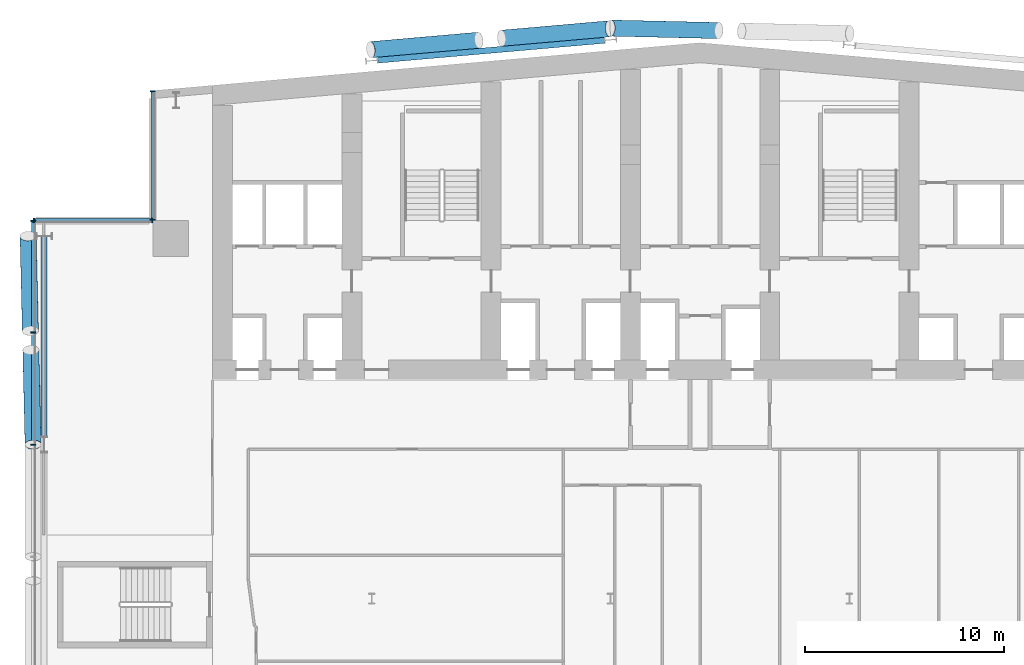
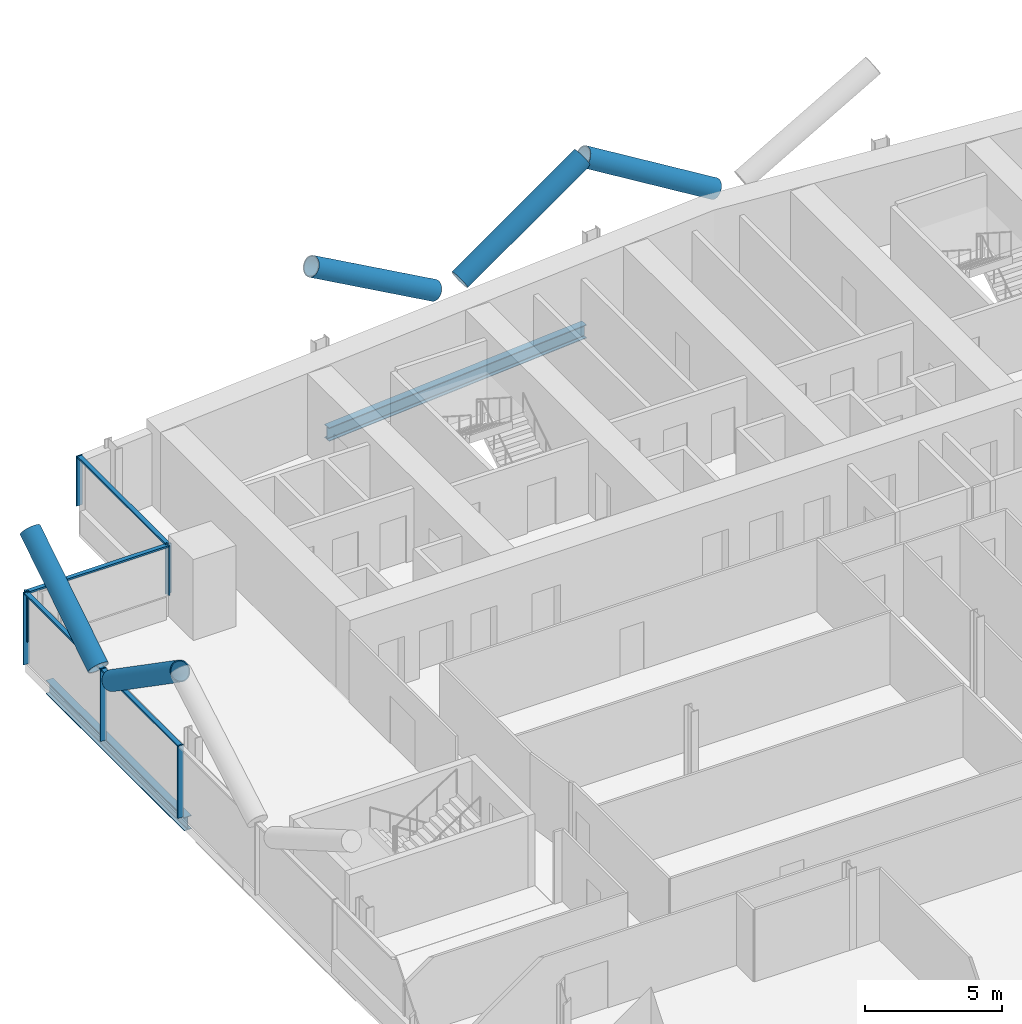
# One storey, part 8 of 27: 16 members, 2 beams, 3 elements without a shape of their own.
"""IFC4 building model written with IfcOpenShell, lengths in metres."""

from ifc_helpers import new_model, si_unit, direction, frame, origin, origin_2d, place, context, subcontext, project, spatial, rectangle, hollow_circle, i_section, extrude, material, material_profile, profile_set, type_object, element, aggregate, save


model = new_model("IFC4")

# Units and contexts
model_context = context("Model", 3, precision=1e-05, world=origin(), true_north=direction((0.0, 1.0)))
body_context = subcontext(model_context, "Body", "Model", "MODEL_VIEW")
ifc_project = project(units=[si_unit("LENGTHUNIT", "METRE"), si_unit("AREAUNIT", "SQUARE_METRE"), si_unit("VOLUMEUNIT", "CUBIC_METRE"), si_unit("PLANEANGLEUNIT", "RADIAN"), si_unit("MASSUNIT", "GRAM", prefix="KILO")], contexts=[model_context])

# Site, building, storey
site_placement = place(None, origin())
site = spatial("IfcSite", under=ifc_project, at=site_placement, CompositionType="ELEMENT")
building_placement = place(site_placement, origin())
building = spatial("IfcBuilding", under=site, at=building_placement, Name="Wharfspan Tower", CompositionType="ELEMENT")
storey_placement = place(building_placement, frame((0.0, 0.0, 139.899902)))
storey = spatial("IfcBuildingStorey", under=building, at=storey_placement, Name="L33", CompositionType="ELEMENT", Elevation=139.899902)

# Beams
ifc_material_1 = material(Name="Steel S355J2", Category="steel")
ifc_material_profile_1 = material_profile(ifc_material_1, i_section(OverallWidth=0.300049, OverallDepth=0.600098, WebThickness=0.015381, FlangeThickness=0.030029, FilletRadius=0.0271, at=origin_2d()))
ifc_profile_set_1 = profile_set([ifc_material_profile_1], Name="Steel S355J2")
beam_type = type_object("IfcBeamType", Name="Edge beam HEB 600", PredefinedType="SPANDREL", material=ifc_profile_set_1)
beam_1_placement = place(storey_placement, frame((35.695068, 51.050537, -0.699951), z_axis=(-0.996194, -0.087162, 0.0), x_axis=(0.087162, -0.996194, 0.0)))
element("IfcBeam", 1, at=beam_1_placement, inside=storey, type_object=beam_type, Name="Edge beam N1 L33 R.2 to R.1", PredefinedType="SPANDREL", context=body_context, shape_type="SweptSolid", body=[
    extrude(i_section(OverallWidth=0.300049, OverallDepth=0.600098, WebThickness=0.015381, FlangeThickness=0.030029, FilletRadius=0.0271, at=origin_2d()), origin(), (0.0, 0.0, 1.0), 11.433594),
])
beam_2_placement = place(storey_placement, frame((7.544434, 41.201416, -0.699951), z_axis=(-0.000412, -1.0, 0.0), x_axis=(1.0, -0.000412, 0.0)))
element("IfcBeam", 2, at=beam_2_placement, inside=storey, type_object=beam_type, Name="Edge beam W L33 PNRW-H.1 to PW.1", PredefinedType="SPANDREL", context=body_context, shape_type="SweptSolid", body=[
    extrude(i_section(OverallWidth=0.300049, OverallDepth=0.600098, WebThickness=0.015381, FlangeThickness=0.030029, FilletRadius=0.0271, at=origin_2d()), origin(), (0.0, 0.0, 1.0), 10.065186),
])

# Curtain wall, members
ifc_material_2 = material(Name="Aluminium 6063-T6", Category="aluminium")
curtain_wall_type = type_object("IfcCurtainWallType", Name="CURTAIN WALL PROW AND END", PredefinedType="NOTDEFINED", material=ifc_material_2)
curtain_wall_1_placement = place(storey_placement, origin())
curtain_wall_1 = element("IfcCurtainWall", 3, at=curtain_wall_1_placement, inside=storey, type_object=curtain_wall_type, Name="Curtain wall NRW-V", PredefinedType="NOTDEFINED")
ifc_material_profile_2 = material_profile(ifc_material_2, rectangle(XDim=0.23999, YDim=0.060059, at=origin_2d()))
ifc_profile_set_2 = profile_set([ifc_material_profile_2], Name="Aluminium 6063-T6")
member_type_1 = type_object("IfcMemberType", Name="MULLION PROW AND END 60x240", PredefinedType="MULLION", material=ifc_profile_set_2)
member_1_placement = place(storey_placement, frame((13.0, 48.494873, 1.0), z_axis=(0.0, 0.0, 1.0), x_axis=(1.0, 0.0, 0.0)))
member_1 = element("IfcMember", 4, at=member_1_placement, type_object=member_type_1, Name="Curtain wall NRW-V mullion 1", PredefinedType="MULLION", context=body_context, shape_type="SweptSolid", body=[
    extrude(rectangle(XDim=0.23999, YDim=0.060059, at=origin_2d()), origin(), (0.0, 0.0, 1.0), 2.200195),
])
member_2_placement = place(storey_placement, frame((13.0, 42.030029, 1.0), z_axis=(0.0, 0.0, 1.0), x_axis=(1.0, 0.0, 0.0)))
member_2 = element("IfcMember", 5, at=member_2_placement, type_object=member_type_1, Name="Curtain wall NRW-V mullion 2", PredefinedType="MULLION", context=body_context, shape_type="SweptSolid", body=[
    extrude(rectangle(XDim=0.23999, YDim=0.060059, at=origin_2d()), origin(), (0.0, 0.0, 1.0), 2.200195),
])

curtain_wall_2_placement = place(storey_placement, origin())
curtain_wall_2 = element("IfcCurtainWall", 6, at=curtain_wall_2_placement, inside=storey, type_object=curtain_wall_type, Name="Curtain wall NRW-H", PredefinedType="NOTDEFINED")
member_3_placement = place(storey_placement, frame((12.969971, 42.0, 1.0), z_axis=(0.0, 0.0, 1.0), x_axis=(0.0, -1.0, 0.0)))
member_3 = element("IfcMember", 7, at=member_3_placement, type_object=member_type_1, Name="Curtain wall NRW-H mullion 1", PredefinedType="MULLION", context=body_context, shape_type="SweptSolid", body=[
    extrude(rectangle(XDim=0.23999, YDim=0.060059, at=origin_2d()), origin(), (0.0, 0.0, 1.0), 2.200195),
])
member_4_placement = place(storey_placement, frame((7.030029, 42.0, 1.0), z_axis=(0.0, 0.0, 1.0), x_axis=(0.0, -1.0, 0.0)))
member_4 = element("IfcMember", 8, at=member_4_placement, type_object=member_type_1, Name="Curtain wall NRW-H mullion 2", PredefinedType="MULLION", context=body_context, shape_type="SweptSolid", body=[
    extrude(rectangle(XDim=0.23999, YDim=0.060059, at=origin_2d()), origin(), (0.0, 0.0, 1.0), 2.200195),
])

curtain_wall_3_placement = place(storey_placement, origin())
curtain_wall_3 = element("IfcCurtainWall", 9, at=curtain_wall_3_placement, inside=storey, type_object=curtain_wall_type, Name="Curtain wall W", PredefinedType="NOTDEFINED")
member_5_placement = place(storey_placement, frame((7.0, 41.969971, 0.0), z_axis=(0.0, 0.0, 1.0), x_axis=(1.0, 0.0, 0.0)))
member_5 = element("IfcMember", 10, at=member_5_placement, type_object=member_type_1, Name="Curtain wall W mullion 1", PredefinedType="MULLION", context=body_context, shape_type="SweptSolid", body=[
    extrude(rectangle(XDim=0.23999, YDim=0.060059, at=origin_2d()), origin(), (0.0, 0.0, 1.0), 3.200195),
])
member_6_placement = place(storey_placement, frame((7.0, 36.366699, 0.0), z_axis=(0.0, 0.0, 1.0), x_axis=(1.0, 0.0, 0.0)))
member_6 = element("IfcMember", 11, at=member_6_placement, type_object=member_type_1, Name="Curtain wall W mullion 2", PredefinedType="MULLION", context=body_context, shape_type="SweptSolid", body=[
    extrude(rectangle(XDim=0.23999, YDim=0.060059, at=origin_2d()), origin(), (0.0, 0.0, 1.0), 3.200195),
])
member_7_placement = place(storey_placement, frame((7.0, 30.733398, 0.0), z_axis=(0.0, 0.0, 1.0), x_axis=(1.0, 0.0, 0.0)))
member_7 = element("IfcMember", 12, at=member_7_placement, type_object=member_type_1, Name="Curtain wall W mullion 3", PredefinedType="MULLION", context=body_context, shape_type="SweptSolid", body=[
    extrude(rectangle(XDim=0.23999, YDim=0.060059, at=origin_2d()), origin(), (0.0, 0.0, 1.0), 3.200195),
])

# Members
ifc_material_3 = material(Name="Steel S460NH", Category="steel")
ifc_material_profile_3 = material_profile(ifc_material_3, hollow_circle(Radius=0.406494, WallThickness=0.040039, at=origin_2d()))
ifc_profile_set_3 = profile_set([ifc_material_profile_3], Name="Steel S460NH")
member_type_2 = type_object("IfcMemberType", Name="Mega brace CHS 813x40", PredefinedType="BRACE", material=ifc_profile_set_3)
member_8_placement = place(storey_placement, frame((6.871094, 35.486084, 3.233154), z_axis=(0.019766, -0.823932, 0.566344), x_axis=(0.999712, 0.023985, 3e-06)))
element("IfcMember", 13, at=member_8_placement, inside=storey, type_object=member_type_2, Name="Mega brace W4 L33 part 2", PredefinedType="BRACE", context=body_context, shape_type="SweptSolid", body=[
    extrude(hollow_circle(Radius=0.406494, WallThickness=0.040039, at=origin_2d()), origin(), (0.0, 0.0, 1.0), 5.768311),
])
member_9_placement = place(storey_placement, frame((6.8479, 36.455078, 3.233154), z_axis=(-0.019723, 0.823946, 0.566325), x_axis=(-0.999713, -0.023929, -2e-06)))
element("IfcMember", 14, at=member_9_placement, inside=storey, type_object=member_type_2, Name="Mega brace W4 L33 part 4", PredefinedType="BRACE", context=body_context, shape_type="SweptSolid", body=[
    extrude(hollow_circle(Radius=0.406494, WallThickness=0.040039, at=origin_2d()), origin(), (0.0, 0.0, 1.0), 5.768555),
])
member_10_placement = place(storey_placement, frame((41.435059, 51.541504, 3.246582), z_axis=(-0.857317, 0.019649, 0.514413), x_axis=(-0.022912, -0.999739, 2e-06)))
element("IfcMember", 15, at=member_10_placement, inside=storey, type_object=member_type_2, Name="Mega brace N7 L33 part 4", PredefinedType="BRACE", context=body_context, shape_type="SweptSolid", body=[
    extrude(hollow_circle(Radius=0.406494, WallThickness=0.040039, at=origin_2d()), origin(), (0.0, 0.0, 1.0), 6.324463),
])
member_11_placement = place(storey_placement, frame((30.529785, 51.156738, 3.24707), z_axis=(0.855103, 0.074814, 0.513031), x_axis=(-0.087159, 0.996196, 1e-06)))
element("IfcMember", 16, at=member_11_placement, inside=storey, type_object=member_type_2, Name="Mega brace N8 L33 part 2", PredefinedType="BRACE", context=body_context, shape_type="SweptSolid", body=[
    extrude(hollow_circle(Radius=0.406494, WallThickness=0.040039, at=origin_2d()), origin(), (0.0, 0.0, 1.0), 6.340576),
])
member_12_placement = place(storey_placement, frame((29.373291, 51.05542, 3.24707), z_axis=(-0.855096, -0.074778, 0.51305), x_axis=(0.087117, -0.996194, 0.0)))
element("IfcMember", 17, at=member_12_placement, inside=storey, type_object=member_type_2, Name="Mega brace N8 L33 part 4", PredefinedType="BRACE", context=body_context, shape_type="SweptSolid", body=[
    extrude(hollow_circle(Radius=0.406494, WallThickness=0.040039, at=origin_2d()), origin(), (0.0, 0.0, 1.0), 6.340332),
])

# Member
ifc_material_profile_4 = material_profile(ifc_material_2, rectangle(XDim=0.179932, YDim=0.080078, at=origin_2d()))
ifc_profile_set_4 = profile_set([ifc_material_profile_4], Name="Aluminium 6063-T6")
member_type_3 = type_object("IfcMemberType", Name="TRANSOM PROW AND END 80x180", PredefinedType="USERDEFINED", material=ifc_profile_set_4)
member_13_placement = place(storey_placement, frame((13.0, 48.464844, 3.160156), z_axis=(0.0, -1.0, 0.0), x_axis=(1.0, 0.0, 0.0)))
member_13 = element("IfcMember", 18, at=member_13_placement, type_object=member_type_3, Name="Curtain wall NRW-V transom 1", ObjectType="TRANSOM", PredefinedType="USERDEFINED", context=body_context, shape_type="SweptSolid", body=[
    extrude(rectangle(XDim=0.179932, YDim=0.080078, at=origin_2d()), origin(), (0.0, 0.0, 1.0), 6.404785),
])

aggregate(curtain_wall_1, [member_1, member_2, member_13])

member_14_placement = place(storey_placement, frame((12.939941, 42.0, 3.160156), z_axis=(-1.0, 0.0, 0.0), x_axis=(0.0, -1.0, 0.0)))
member_14 = element("IfcMember", 19, at=member_14_placement, type_object=member_type_3, Name="Curtain wall NRW-H transom 1", ObjectType="TRANSOM", PredefinedType="USERDEFINED", context=body_context, shape_type="SweptSolid", body=[
    extrude(rectangle(XDim=0.179932, YDim=0.080078, at=origin_2d()), origin(), (0.0, 0.0, 1.0), 5.879883),
])

aggregate(curtain_wall_2, [member_3, member_4, member_14])

member_15_placement = place(storey_placement, frame((7.0, 41.939941, 3.160156), z_axis=(0.0, -1.0, 0.0), x_axis=(1.0, 0.0, 0.0)))
member_15 = element("IfcMember", 20, at=member_15_placement, type_object=member_type_3, Name="Curtain wall W transom 1", ObjectType="TRANSOM", PredefinedType="USERDEFINED", context=body_context, shape_type="SweptSolid", body=[
    extrude(rectangle(XDim=0.179932, YDim=0.080078, at=origin_2d()), origin(), (0.0, 0.0, 1.0), 5.543213),
])

member_16_placement = place(storey_placement, frame((7.0, 36.33667, 3.160156), z_axis=(0.0, -1.0, 0.0), x_axis=(1.0, 0.0, 0.0)))
member_16 = element("IfcMember", 21, at=member_16_placement, type_object=member_type_3, Name="Curtain wall W transom 2", ObjectType="TRANSOM", PredefinedType="USERDEFINED", context=body_context, shape_type="SweptSolid", body=[
    extrude(rectangle(XDim=0.179932, YDim=0.080078, at=origin_2d()), origin(), (0.0, 0.0, 1.0), 5.573242),
])

aggregate(curtain_wall_3, [member_5, member_6, member_7, member_15, member_16])

save(model, "model.ifc")
